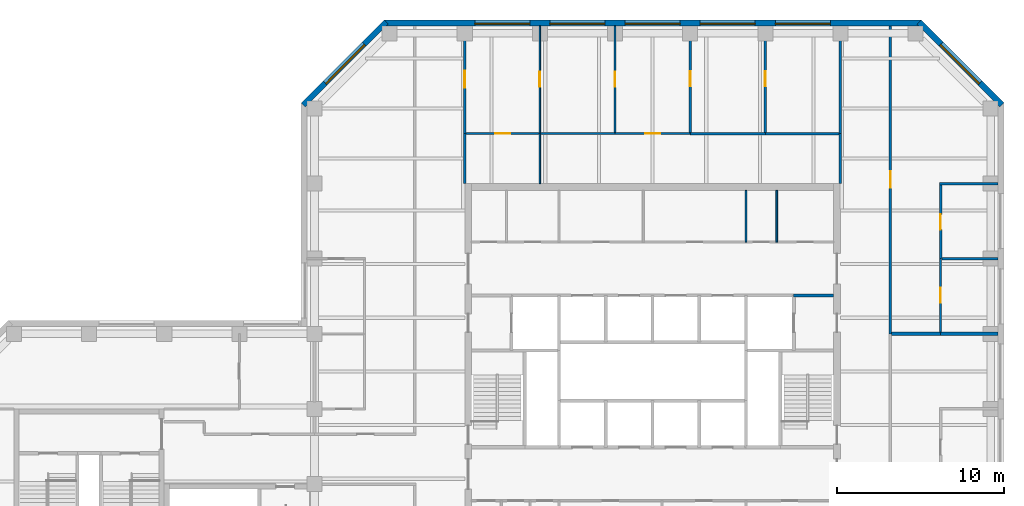
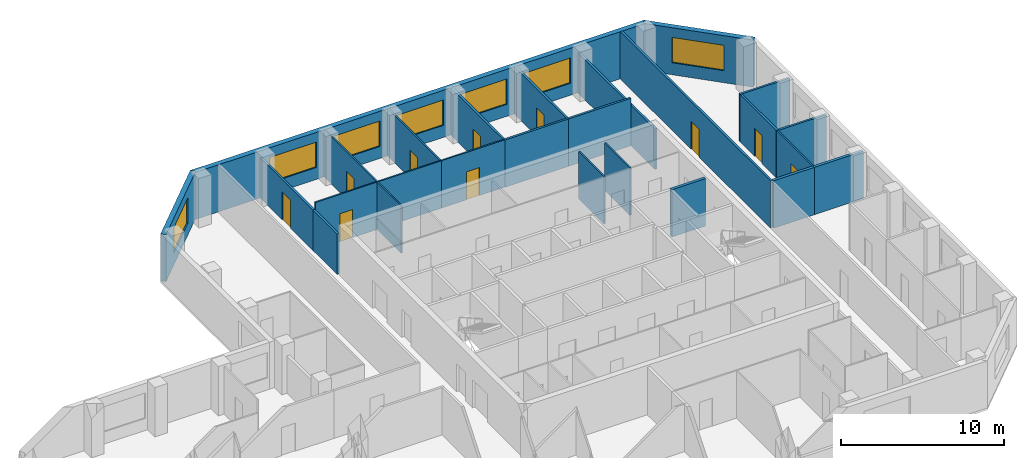
# One storey, part 7 of 9: 27 walls, 10 doors, 7 windows, 17 openings.
"""IFC4 building model written with IfcOpenShell, lengths in metres."""

from ifc_helpers import new_model, si_unit, direction, frame, frame_2d, origin, place, context, subcontext, project, spatial, rectangle, extrude, material, layer, layer_set, constituent, constituent_set, type_object, element, fill, save


model = new_model("IFC4")

# Units and contexts
model_context = context("Model", 3, precision=1e-05, world=origin(), true_north=direction((0.0, 1.0)))
body_context = subcontext(model_context, "Body", "Model", "MODEL_VIEW")
ifc_project = project(units=[si_unit("LENGTHUNIT", "METRE"), si_unit("AREAUNIT", "SQUARE_METRE"), si_unit("VOLUMEUNIT", "CUBIC_METRE"), si_unit("PLANEANGLEUNIT", "RADIAN"), si_unit("MASSUNIT", "GRAM", prefix="KILO")], contexts=[model_context])

# Site, building, storey
site_placement = place(None, origin())
site = spatial("IfcSite", under=ifc_project, at=site_placement, CompositionType="ELEMENT")
building_placement = place(site_placement, origin())
building = spatial("IfcBuilding", under=site, at=building_placement, Name="Quoin Convention Tower", CompositionType="ELEMENT")
storey_placement = place(building_placement, frame((0.0, 0.0, 237.800048828125)))
storey = spatial("IfcBuildingStorey", under=building, at=storey_placement, Name="L62", CompositionType="ELEMENT", Elevation=237.800048828125)

# Walls
ifc_material_1 = material(Name="Plasterboard")
ifc_layer_1 = layer(ifc_material_1, 0.012451171875, Name="Finish")
ifc_material_2 = material(Name="Steel stud framing", Category="steel")
ifc_layer_2 = layer(ifc_material_2, 0.125, Name="Structure")
ifc_layer_3 = layer(ifc_material_1, 0.012451171875, Name="Finish")
ifc_layer_set_1 = layer_set([ifc_layer_1, ifc_layer_2, ifc_layer_3], Name="Steel stud framing")
wall_type_1 = type_object("IfcWallType", Name="Acoustic partition 150", PredefinedType="PARTITIONING", material=ifc_layer_set_1)
wall_1_placement = place(storey_placement, frame((73.574951171875, 67.5, 0.0), z_axis=(0.0, 0.0, 1.0), x_axis=(1.0, 0.0, 0.0)))
element("IfcWall", 1, at=wall_1_placement, inside=storey, type_object=wall_type_1, Name="pw-L62-027", PredefinedType="PARTITIONING", context=body_context, shape_type="SweptSolid", body=[
    extrude(rectangle(XDim=3.375, YDim=0.14990234375, at=frame_2d((1.6875, 0.0))), origin(), (0.0, 0.0, 1.0), 3.550048828125),
])
wall_2_placement = place(storey_placement, frame((73.425048828125, 72.0, 0.0), z_axis=(0.0, 0.0, 1.0), x_axis=(1.0, 0.0, 0.0)))
element("IfcWall", 2, at=wall_2_placement, inside=storey, type_object=wall_type_1, Name="pw-L62-028", PredefinedType="PARTITIONING", context=body_context, shape_type="SweptSolid", body=[
    extrude(rectangle(XDim=3.52490234375, YDim=0.14990234375, at=frame_2d((1.762451171875, 0.0))), origin(), (0.0, 0.0, 1.0), 3.550048828125),
])
wall_3_placement = place(storey_placement, frame((58.5, 75.0, 0.0), z_axis=(0.0, 0.0, 1.0), x_axis=(1.0, 0.0, 0.0)))
element("IfcWall", 3, at=wall_3_placement, inside=storey, type_object=wall_type_1, Name="pw-L62-032", PredefinedType="PARTITIONING", context=body_context, shape_type="SweptSolid", body=[
    extrude(rectangle(XDim=4.5, YDim=0.14990234375, at=frame_2d((2.25, 0.0))), origin(), (0.0, 0.0, 1.0), 3.550048828125),
])
wall_4_placement = place(storey_placement, frame((63.0, 75.0, 0.0), z_axis=(0.0, 0.0, 1.0), x_axis=(1.0, 0.0, 0.0)))
element("IfcWall", 4, at=wall_4_placement, inside=storey, type_object=wall_type_1, Name="pw-L62-033", PredefinedType="PARTITIONING", context=body_context, shape_type="SweptSolid", body=[
    extrude(rectangle(XDim=4.425048828125, YDim=0.14990234375, at=frame_2d((2.21240234375, 0.0))), origin(), (0.0, 0.0, 1.0), 3.550048828125),
])

# Wall, opening, door
wall_5_placement = place(storey_placement, frame((73.5, 67.5, 0.0), z_axis=(0.0, 0.0, 1.0), x_axis=(0.0, 1.0, 0.0)))
wall_5 = element("IfcWall", 5, at=wall_5_placement, inside=storey, type_object=wall_type_1, Name="pw-L62-070", PredefinedType="PARTITIONING", context=body_context, shape_type="SweptSolid", body=[
    extrude(rectangle(XDim=4.425048828125, YDim=0.14990234375, at=frame_2d((2.21240234375, 0.0))), origin(), (0.0, 0.0, 1.0), 3.550048828125),
])
opening_1_placement = place(wall_5_placement, frame((1.75, 0.0, 0.0)))
opening_1 = element("IfcOpeningElement", 6, at=opening_1_placement, cuts=wall_5, Name="Opening DOH11-22", PredefinedType="OPENING", context=body_context, shape_type="SweptSolid", body=[
    extrude(rectangle(XDim=0.89990234375, YDim=2.10009765625, at=frame_2d((0.449951171875, 1.050048828125))), frame((0.0, 0.0849609375, 0.0), z_axis=(0.0, -1.0, 0.0), x_axis=(1.0, 0.0, 0.0)), (0.0, 0.0, 1.0), 0.169921875),
])
ifc_material_3 = material(Name="Steel door leaf", Category="steel")
door_type_1 = type_object("IfcDoorType", Name="Office door 900 x 2100", OperationType="SINGLE_SWING_RIGHT", PredefinedType="DOOR", material=ifc_material_3)
door_1_placement = place(opening_1_placement, origin())
door_1 = element("IfcDoor", 7, at=door_1_placement, inside=storey, type_object=door_type_1, Name="dr-L62-31", OperationType="SINGLE_SWING_RIGHT", OverallHeight=2.10009765625, OverallWidth=0.89990234375, PredefinedType="DOOR", context=body_context, shape_type="SweptSolid", body=[
    extrude(rectangle(XDim=0.89990234375, YDim=2.10009765625, at=frame_2d((0.449951171875, 1.050048828125))), frame((0.0, 0.02490234375, 0.0), z_axis=(0.0, -1.0, 0.0), x_axis=(1.0, 0.0, 0.0)), (0.0, 0.0, 1.0), 0.050048828125),
])
fill(opening_1, door_1)

wall_6_placement = place(storey_placement, frame((58.5, 75.074951171875, 0.0), z_axis=(0.0, 0.0, 1.0), x_axis=(0.0, 1.0, 0.0)))
wall_6 = element("IfcWall", 8, at=wall_6_placement, inside=storey, type_object=wall_type_1, Name="pw-L62-078", PredefinedType="PARTITIONING", context=body_context, shape_type="SweptSolid", body=[
    extrude(rectangle(XDim=6.375, YDim=0.14990234375, at=frame_2d((3.1875, 0.0))), origin(), (0.0, 0.0, 1.0), 3.550048828125),
])
opening_2_placement = place(wall_6_placement, frame((2.75, 0.0, 0.0)))
opening_2 = element("IfcOpeningElement", 9, at=opening_2_placement, cuts=wall_6, Name="Opening DOH11-26", PredefinedType="OPENING", context=body_context, shape_type="SweptSolid", body=[
    extrude(rectangle(XDim=0.89990234375, YDim=2.10009765625, at=frame_2d((0.449951171875, 1.050048828125))), frame((0.0, 0.0849609375, 0.0), z_axis=(0.0, -1.0, 0.0), x_axis=(1.0, 0.0, 0.0)), (0.0, 0.0, 1.0), 0.169921875),
])
door_2_placement = place(opening_2_placement, origin())
door_2 = element("IfcDoor", 10, at=door_2_placement, inside=storey, type_object=door_type_1, Name="dr-L62-20", OperationType="SINGLE_SWING_RIGHT", OverallHeight=2.10009765625, OverallWidth=0.89990234375, PredefinedType="DOOR", context=body_context, shape_type="SweptSolid", body=[
    extrude(rectangle(XDim=0.89990234375, YDim=2.10009765625, at=frame_2d((0.449951171875, 1.050048828125))), frame((0.0, 0.02490234375, 0.0), z_axis=(0.0, -1.0, 0.0), x_axis=(1.0, 0.0, 0.0)), (0.0, 0.0, 1.0), 0.050048828125),
])
fill(opening_2, door_2)

wall_7_placement = place(storey_placement, frame((63.0, 75.074951171875, 0.0), z_axis=(0.0, 0.0, 1.0), x_axis=(0.0, 1.0, 0.0)))
wall_7 = element("IfcWall", 11, at=wall_7_placement, inside=storey, type_object=wall_type_1, Name="pw-L62-079", PredefinedType="PARTITIONING", context=body_context, shape_type="SweptSolid", body=[
    extrude(rectangle(XDim=6.375, YDim=0.14990234375, at=frame_2d((3.1875, 0.0))), origin(), (0.0, 0.0, 1.0), 3.550048828125),
])
opening_3_placement = place(wall_7_placement, frame((2.75, 0.0, 0.0)))
opening_3 = element("IfcOpeningElement", 12, at=opening_3_placement, cuts=wall_7, Name="Opening DOH11-27", PredefinedType="OPENING", context=body_context, shape_type="SweptSolid", body=[
    extrude(rectangle(XDim=0.89990234375, YDim=2.10009765625, at=frame_2d((0.449951171875, 1.050048828125))), frame((0.0, 0.0849609375, 0.0), z_axis=(0.0, -1.0, 0.0), x_axis=(1.0, 0.0, 0.0)), (0.0, 0.0, 1.0), 0.169921875),
])
door_3_placement = place(opening_3_placement, origin())
door_3 = element("IfcDoor", 13, at=door_3_placement, inside=storey, type_object=door_type_1, Name="dr-L62-21", OperationType="SINGLE_SWING_RIGHT", OverallHeight=2.10009765625, OverallWidth=0.89990234375, PredefinedType="DOOR", context=body_context, shape_type="SweptSolid", body=[
    extrude(rectangle(XDim=0.89990234375, YDim=2.10009765625, at=frame_2d((0.449951171875, 1.050048828125))), frame((0.0, 0.02490234375, 0.0), z_axis=(0.0, -1.0, 0.0), x_axis=(1.0, 0.0, 0.0)), (0.0, 0.0, 1.0), 0.050048828125),
])
fill(opening_3, door_3)

# Wall, opening, window
ifc_material_4 = material(Name="Brick masonry", Category="masonry")
ifc_layer_4 = layer(ifc_material_4, 0.35009765625)
ifc_layer_set_2 = layer_set([ifc_layer_4], Name="Brick masonry")
wall_type_2 = type_object("IfcWallType", Name="Brick facade wall", PredefinedType="STANDARD", material=ifc_layer_set_2)
wall_8_placement = place(storey_placement, frame((77.17626953125, 76.70751953125, 0.0), z_axis=(0.0, 0.0, 1.0), x_axis=(-0.707106781187, 0.707106781187, 0.0)))
wall_8 = element("IfcWall", 14, at=wall_8_placement, inside=storey, type_object=wall_type_2, Name="fw-L62-76500_76500", PredefinedType="STANDARD", context=body_context, shape_type="SweptSolid", body=[
    extrude(rectangle(XDim=7.02685546875, YDim=0.35009765625, at=frame_2d((3.513427734375, 0.0))), origin(), (0.0, 0.0, 1.0), 3.52490234375),
])
opening_4_placement = place(wall_8_placement, frame((1.86328125, 0.0, 0.89990234375)))
opening_4 = element("IfcOpeningElement", 15, at=opening_4_placement, cuts=wall_8, Name="Opening W-02", PredefinedType="OPENING", context=body_context, shape_type="SweptSolid", body=[
    extrude(rectangle(XDim=3.300048828125, YDim=1.89990234375, at=frame_2d((1.64990234375, 0.949951171875))), frame((0.0, 0.18505859375, 0.0), z_axis=(0.0, -1.0, 0.0), x_axis=(1.0, 0.0, 0.0)), (0.0, 0.0, 1.0), 0.3701171875),
])
ifc_material_5 = material(Name="Aluminium", Category="aluminium")
ifc_constituent_1 = constituent(ifc_material_5, Name="Frame")
ifc_material_6 = material(Name="Insulated glass", Category="glass")
ifc_constituent_2 = constituent(ifc_material_6, Name="Glazing")
ifc_constituent_set = constituent_set(constituents=[ifc_constituent_1, ifc_constituent_2], Name="Aluminium")
window_type = type_object("IfcWindowType", Name="Office window", PartitioningType="DOUBLE_PANEL_VERTICAL", PredefinedType="WINDOW", material=ifc_constituent_set)
window_1_placement = place(opening_4_placement, origin())
window_1 = element("IfcWindow", 16, at=window_1_placement, inside=storey, type_object=window_type, Name="win-L62-74692_79192", OverallHeight=1.89990234375, OverallWidth=3.300048828125, PartitioningType="SINGLE_PANEL", PredefinedType="WINDOW", context=body_context, shape_type="SweptSolid", body=[
    extrude(rectangle(XDim=3.300048828125, YDim=1.89990234375, at=frame_2d((1.64990234375, 0.949951171875))), frame((0.0, 0.0849609375, 0.0), z_axis=(0.0, -1.0, 0.0), x_axis=(1.0, 0.0, 0.0)), (0.0, 0.0, 1.0), 0.06005859375),
])
fill(opening_4, window_1)

# Wall, openings, windows
wall_9_placement = place(storey_placement, frame((72.331298828125, 81.625, 0.0), z_axis=(0.0, 0.0, 1.0), x_axis=(-1.0, 0.0, 0.0)))
wall_9 = element("IfcWall", 17, at=wall_9_placement, inside=storey, type_object=wall_type_2, Name="fw-L62-72000_81000", PredefinedType="STANDARD", context=body_context, shape_type="SweptSolid", body=[
    extrude(rectangle(XDim=32.16259765625, YDim=0.35009765625, at=frame_2d((16.081298828125, 0.0))), origin(), (0.0, 0.0, 1.0), 3.52490234375),
])
opening_5_placement = place(wall_9_placement, frame((5.431396484375, 0.0, 0.89990234375)))
opening_5 = element("IfcOpeningElement", 18, at=opening_5_placement, cuts=wall_9, Name="Opening W-02", PredefinedType="OPENING", context=body_context, shape_type="SweptSolid", body=[
    extrude(rectangle(XDim=3.300048828125, YDim=1.89990234375, at=frame_2d((1.64990234375, 0.949951171875))), frame((0.0, 0.18505859375, 0.0), z_axis=(0.0, -1.0, 0.0), x_axis=(1.0, 0.0, 0.0)), (0.0, 0.0, 1.0), 0.3701171875),
])
opening_6_placement = place(wall_9_placement, frame((9.931396484375, 0.0, 0.89990234375)))
opening_6 = element("IfcOpeningElement", 19, at=opening_6_placement, cuts=wall_9, Name="Opening W-02", PredefinedType="OPENING", context=body_context, shape_type="SweptSolid", body=[
    extrude(rectangle(XDim=3.300048828125, YDim=1.89990234375, at=frame_2d((1.64990234375, 0.949951171875))), frame((0.0, 0.18505859375, 0.0), z_axis=(0.0, -1.0, 0.0), x_axis=(1.0, 0.0, 0.0)), (0.0, 0.0, 1.0), 0.3701171875),
])
opening_7_placement = place(wall_9_placement, frame((14.431396484375, 0.0, 0.89990234375)))
opening_7 = element("IfcOpeningElement", 20, at=opening_7_placement, cuts=wall_9, Name="Opening W-02", PredefinedType="OPENING", context=body_context, shape_type="SweptSolid", body=[
    extrude(rectangle(XDim=3.300048828125, YDim=1.89990234375, at=frame_2d((1.64990234375, 0.949951171875))), frame((0.0, 0.18505859375, 0.0), z_axis=(0.0, -1.0, 0.0), x_axis=(1.0, 0.0, 0.0)), (0.0, 0.0, 1.0), 0.3701171875),
])
opening_8_placement = place(wall_9_placement, frame((18.931396484375, 0.0, 0.89990234375)))
opening_8 = element("IfcOpeningElement", 21, at=opening_8_placement, cuts=wall_9, Name="Opening W-02", PredefinedType="OPENING", context=body_context, shape_type="SweptSolid", body=[
    extrude(rectangle(XDim=3.300048828125, YDim=1.89990234375, at=frame_2d((1.64990234375, 0.949951171875))), frame((0.0, 0.18505859375, 0.0), z_axis=(0.0, -1.0, 0.0), x_axis=(1.0, 0.0, 0.0)), (0.0, 0.0, 1.0), 0.3701171875),
])
opening_9_placement = place(wall_9_placement, frame((23.431396484375, 0.0, 0.89990234375)))
opening_9 = element("IfcOpeningElement", 22, at=opening_9_placement, cuts=wall_9, Name="Opening W-02", PredefinedType="OPENING", context=body_context, shape_type="SweptSolid", body=[
    extrude(rectangle(XDim=3.300048828125, YDim=1.89990234375, at=frame_2d((1.64990234375, 0.949951171875))), frame((0.0, 0.18505859375, 0.0), z_axis=(0.0, -1.0, 0.0), x_axis=(1.0, 0.0, 0.0)), (0.0, 0.0, 1.0), 0.3701171875),
])
window_2_placement = place(opening_5_placement, origin())
window_2 = element("IfcWindow", 23, at=window_2_placement, inside=storey, type_object=window_type, Name="win-L62-65250_81625", OverallHeight=1.89990234375, OverallWidth=3.300048828125, PartitioningType="SINGLE_PANEL", PredefinedType="WINDOW", context=body_context, shape_type="SweptSolid", body=[
    extrude(rectangle(XDim=3.300048828125, YDim=1.89990234375, at=frame_2d((1.64990234375, 0.949951171875))), frame((0.0, 0.0849609375, 0.0), z_axis=(0.0, -1.0, 0.0), x_axis=(1.0, 0.0, 0.0)), (0.0, 0.0, 1.0), 0.06005859375),
])
fill(opening_5, window_2)
window_3_placement = place(opening_6_placement, origin())
window_3 = element("IfcWindow", 24, at=window_3_placement, inside=storey, type_object=window_type, Name="win-L62-60750_81625", OverallHeight=1.89990234375, OverallWidth=3.300048828125, PartitioningType="SINGLE_PANEL", PredefinedType="WINDOW", context=body_context, shape_type="SweptSolid", body=[
    extrude(rectangle(XDim=3.300048828125, YDim=1.89990234375, at=frame_2d((1.64990234375, 0.949951171875))), frame((0.0, 0.0849609375, 0.0), z_axis=(0.0, -1.0, 0.0), x_axis=(1.0, 0.0, 0.0)), (0.0, 0.0, 1.0), 0.06005859375),
])
fill(opening_6, window_3)
window_4_placement = place(opening_7_placement, origin())
window_4 = element("IfcWindow", 25, at=window_4_placement, inside=storey, type_object=window_type, Name="win-L62-56250_81625", OverallHeight=1.89990234375, OverallWidth=3.300048828125, PartitioningType="SINGLE_PANEL", PredefinedType="WINDOW", context=body_context, shape_type="SweptSolid", body=[
    extrude(rectangle(XDim=3.300048828125, YDim=1.89990234375, at=frame_2d((1.64990234375, 0.949951171875))), frame((0.0, 0.0849609375, 0.0), z_axis=(0.0, -1.0, 0.0), x_axis=(1.0, 0.0, 0.0)), (0.0, 0.0, 1.0), 0.06005859375),
])
fill(opening_7, window_4)
window_5_placement = place(opening_8_placement, origin())
window_5 = element("IfcWindow", 26, at=window_5_placement, inside=storey, type_object=window_type, Name="win-L62-51750_81625", OverallHeight=1.89990234375, OverallWidth=3.300048828125, PartitioningType="SINGLE_PANEL", PredefinedType="WINDOW", context=body_context, shape_type="SweptSolid", body=[
    extrude(rectangle(XDim=3.300048828125, YDim=1.89990234375, at=frame_2d((1.64990234375, 0.949951171875))), frame((0.0, 0.0849609375, 0.0), z_axis=(0.0, -1.0, 0.0), x_axis=(1.0, 0.0, 0.0)), (0.0, 0.0, 1.0), 0.06005859375),
])
fill(opening_8, window_5)
window_6_placement = place(opening_9_placement, origin())
window_6 = element("IfcWindow", 27, at=window_6_placement, inside=storey, type_object=window_type, Name="win-L62-47250_81625", OverallHeight=1.89990234375, OverallWidth=3.300048828125, PartitioningType="SINGLE_PANEL", PredefinedType="WINDOW", context=body_context, shape_type="SweptSolid", body=[
    extrude(rectangle(XDim=3.300048828125, YDim=1.89990234375, at=frame_2d((1.64990234375, 0.949951171875))), frame((0.0, 0.0849609375, 0.0), z_axis=(0.0, -1.0, 0.0), x_axis=(1.0, 0.0, 0.0)), (0.0, 0.0, 1.0), 0.06005859375),
])
fill(opening_9, window_6)

# Wall, opening, window
wall_10_placement = place(storey_placement, frame((40.29248046875, 81.67626953125, 0.0), z_axis=(0.0, 0.0, 1.0), x_axis=(-0.707106781187, -0.707106781187, 0.0)))
wall_10 = element("IfcWall", 28, at=wall_10_placement, inside=storey, type_object=wall_type_2, Name="fw-L62-40500_81000", PredefinedType="STANDARD", context=body_context, shape_type="SweptSolid", body=[
    extrude(rectangle(XDim=7.02685546875, YDim=0.35009765625, at=frame_2d((3.513427734375, 0.0))), origin(), (0.0, 0.0, 1.0), 3.52490234375),
])
opening_10_placement = place(wall_10_placement, frame((1.86328125, 0.0, 0.89990234375)))
opening_10 = element("IfcOpeningElement", 29, at=opening_10_placement, cuts=wall_10, Name="Opening W-02", PredefinedType="OPENING", context=body_context, shape_type="SweptSolid", body=[
    extrude(rectangle(XDim=3.300048828125, YDim=1.89990234375, at=frame_2d((1.64990234375, 0.949951171875))), frame((0.0, 0.18505859375, 0.0), z_axis=(0.0, -1.0, 0.0), x_axis=(1.0, 0.0, 0.0)), (0.0, 0.0, 1.0), 0.3701171875),
])
window_7_placement = place(opening_10_placement, origin())
window_7 = element("IfcWindow", 30, at=window_7_placement, inside=storey, type_object=window_type, Name="win-L62-37808_79192", OverallHeight=1.89990234375, OverallWidth=3.300048828125, PartitioningType="SINGLE_PANEL", PredefinedType="WINDOW", context=body_context, shape_type="SweptSolid", body=[
    extrude(rectangle(XDim=3.300048828125, YDim=1.89990234375, at=frame_2d((1.64990234375, 0.949951171875))), frame((0.0, 0.0849609375, 0.0), z_axis=(0.0, -1.0, 0.0), x_axis=(1.0, 0.0, 0.0)), (0.0, 0.0, 1.0), 0.06005859375),
])
fill(opening_10, window_7)

# Walls
ifc_layer_5 = layer(ifc_material_1, 0.012451171875, Name="Finish")
ifc_layer_6 = layer(ifc_material_2, 0.074951171875, Name="Structure")
ifc_layer_7 = layer(ifc_material_1, 0.012451171875, Name="Finish")
ifc_layer_set_3 = layer_set([ifc_layer_5, ifc_layer_6, ifc_layer_7], Name="Steel stud framing")
wall_type_3 = type_object("IfcWallType", Name="Core partition wall", PredefinedType="PARTITIONING", material=ifc_layer_set_3)
for number, where, z_axis, x_axis, name in (
    (31, (61.85009765625, 68.5, 0.0), (0.0, 0.0, 1.0), (0.0, 1.0, 0.0), "cr-C1-L62-v16850_19000"),
    (32, (63.6875, 68.5, 0.0), (0.0, 0.0, 1.0), (0.0, 1.0, 0.0), "cr-C1-L62-v18688_19000"),
):
    element("IfcWall", number, at=place(storey_placement, frame(where, z_axis=z_axis, x_axis=x_axis)), inside=storey, type_object=wall_type_3, Name=name, PredefinedType="PARTITIONING", context=body_context, shape_type="SweptSolid", body=[
        extrude(rectangle(XDim=3.10009765625, YDim=0.10009765625, at=frame_2d((1.550048828125, 0.0))), origin(), (0.0, 0.0, 1.0), 3.550048828125),
    ])
ifc_material_7 = material(Name="Concrete C50", Category="concrete")
ifc_layer_8 = layer(ifc_material_7, 0.199951171875)
ifc_layer_set_4 = layer_set([ifc_layer_8], Name="Concrete C50")
wall_type_4 = type_object("IfcWallType", Name="Core shaft wall", PredefinedType="SOLIDWALL", material=ifc_layer_set_4)
wall_11_placement = place(storey_placement, frame((64.699951171875, 65.300048828125, 0.0), z_axis=(0.0, 0.0, 1.0), x_axis=(1.0, 0.0, 0.0)))
element("IfcWall", 33, at=wall_11_placement, inside=storey, type_object=wall_type_4, Name="cr-C1-L62-h15800_19700", PredefinedType="SOLIDWALL", context=body_context, shape_type="SweptSolid", body=[
    extrude(rectangle(XDim=2.400146484375, YDim=0.199951171875, at=frame_2d((1.2001953125, 0.0))), origin(), (0.0, 0.0, 1.0), 3.550048828125),
])

# Wall, opening, door
ifc_layer_9 = layer(ifc_material_1, 0.012451171875, Name="Finish")
ifc_layer_10 = layer(ifc_material_2, 0.125, Name="Structure")
ifc_layer_11 = layer(ifc_material_1, 0.012451171875, Name="Finish")
ifc_layer_set_5 = layer_set([ifc_layer_9, ifc_layer_10, ifc_layer_11], Name="Steel stud framing")
wall_type_5 = type_object("IfcWallType", Name="Corridor wall 150", PredefinedType="PARTITIONING", material=ifc_layer_set_5)
wall_12_placement = place(storey_placement, frame((70.5, 63.0, 0.0), z_axis=(0.0, 0.0, 1.0), x_axis=(0.0, 1.0, 0.0)))
wall_12 = element("IfcWall", 34, at=wall_12_placement, inside=storey, type_object=wall_type_5, Name="pw-L62-068", PredefinedType="PARTITIONING", context=body_context, shape_type="SweptSolid", body=[
    extrude(rectangle(XDim=18.449951171875, YDim=0.14990234375, at=frame_2d((9.22509765625, 0.0))), origin(), (0.0, 0.0, 1.0), 3.550048828125),
])
opening_11_placement = place(wall_12_placement, frame((8.75, 0.0, 0.0)))
opening_11 = element("IfcOpeningElement", 35, at=opening_11_placement, cuts=wall_12, Name="Opening DOH11-20", PredefinedType="OPENING", context=body_context, shape_type="SweptSolid", body=[
    extrude(rectangle(XDim=1.0, YDim=2.10009765625, at=frame_2d((0.5, 1.050048828125))), frame((0.0, 0.0849609375, 0.0), z_axis=(0.0, -1.0, 0.0), x_axis=(1.0, 0.0, 0.0)), (0.0, 0.0, 1.0), 0.169921875),
])
door_type_2 = type_object("IfcDoorType", Name="Tenancy entrance door 1000 x 2100", OperationType="DOUBLE_DOOR_SINGLE_SWING", PredefinedType="DOOR", material=ifc_material_3)
door_4_placement = place(opening_11_placement, frame((1.0, 0.0, 0.0), z_axis=(0.0, 0.0, 1.0), x_axis=(-1.0, 0.0, 0.0)))
door_4 = element("IfcDoor", 36, at=door_4_placement, inside=storey, type_object=door_type_2, Name="dr-L62-29", OperationType="DOUBLE_DOOR_SINGLE_SWING", OverallHeight=2.10009765625, OverallWidth=1.0, PredefinedType="DOOR", context=body_context, shape_type="SweptSolid", body=[
    extrude(rectangle(XDim=1.0, YDim=2.10009765625, at=frame_2d((0.5, 1.050048828125))), frame((0.0, 0.02490234375, 0.0), z_axis=(0.0, -1.0, 0.0), x_axis=(1.0, 0.0, 0.0)), (0.0, 0.0, 1.0), 0.050048828125),
])
fill(opening_11, door_4)

# Walls
ifc_layer_12 = layer(ifc_material_1, 0.012451171875, Name="Finish")
ifc_layer_13 = layer(ifc_material_2, 0.125, Name="Structure")
ifc_layer_14 = layer(ifc_material_1, 0.012451171875, Name="Finish")
ifc_layer_set_6 = layer_set([ifc_layer_12, ifc_layer_13, ifc_layer_14], Name="Steel stud framing")
wall_type_6 = type_object("IfcWallType", Name="Corridor wall 150 under beam 528", PredefinedType="PARTITIONING", material=ifc_layer_set_6)
for number, where, z_axis, x_axis, name in (
    (37, (45.0, 72.0, 0.0), (0.0, 0.0, 1.0), (0.0, 1.0, 0.0), "pw-L62-071"),
    (38, (67.5, 72.0, 0.0), (0.0, 0.0, 1.0), (0.0, 1.0, 0.0), "pw-L62-073"),
):
    element("IfcWall", number, at=place(storey_placement, frame(where, z_axis=z_axis, x_axis=x_axis)), inside=storey, type_object=wall_type_6, Name=name, PredefinedType="PARTITIONING", context=body_context, shape_type="SweptSolid", body=[
        extrude(rectangle(XDim=3.0, YDim=0.14990234375, at=frame_2d((1.5, 0.0))), origin(), (0.0, 0.0, 1.0), 3.02197265625),
    ])

# Wall, opening, door
wall_13_placement = place(storey_placement, frame((45.0, 75.0, 0.0), z_axis=(0.0, 0.0, 1.0), x_axis=(0.0, 1.0, 0.0)))
wall_13 = element("IfcWall", 39, at=wall_13_placement, inside=storey, type_object=wall_type_6, Name="pw-L62-074", PredefinedType="PARTITIONING", context=body_context, shape_type="SweptSolid", body=[
    extrude(rectangle(XDim=6.449951171875, YDim=0.14990234375, at=frame_2d((3.22509765625, 0.0))), origin(), (0.0, 0.0, 1.0), 3.02197265625),
])
opening_12_placement = place(wall_13_placement, frame((2.75, 0.0, 0.0)))
opening_12 = element("IfcOpeningElement", 40, at=opening_12_placement, cuts=wall_13, Name="Opening DOH11-23", PredefinedType="OPENING", context=body_context, shape_type="SweptSolid", body=[
    extrude(rectangle(XDim=1.0, YDim=2.10009765625, at=frame_2d((0.5, 1.050048828125))), frame((0.0, 0.0849609375, 0.0), z_axis=(0.0, -1.0, 0.0), x_axis=(1.0, 0.0, 0.0)), (0.0, 0.0, 1.0), 0.169921875),
])
door_5_placement = place(opening_12_placement, frame((1.0, 0.0, 0.0), z_axis=(0.0, 0.0, 1.0), x_axis=(-1.0, 0.0, 0.0)))
door_5 = element("IfcDoor", 41, at=door_5_placement, inside=storey, type_object=door_type_2, Name="dr-L62-17", OperationType="DOUBLE_DOOR_SINGLE_SWING", OverallHeight=2.10009765625, OverallWidth=1.0, PredefinedType="DOOR", context=body_context, shape_type="SweptSolid", body=[
    extrude(rectangle(XDim=1.0, YDim=2.10009765625, at=frame_2d((0.5, 1.050048828125))), frame((0.0, 0.02490234375, 0.0), z_axis=(0.0, -1.0, 0.0), x_axis=(1.0, 0.0, 0.0)), (0.0, 0.0, 1.0), 0.050048828125),
])
fill(opening_12, door_5)

# Wall
wall_14_placement = place(storey_placement, frame((67.5, 75.0, 0.0), z_axis=(0.0, 0.0, 1.0), x_axis=(0.0, 1.0, 0.0)))
element("IfcWall", 42, at=wall_14_placement, inside=storey, type_object=wall_type_6, Name="pw-L62-076", PredefinedType="PARTITIONING", context=body_context, shape_type="SweptSolid", body=[
    extrude(rectangle(XDim=6.449951171875, YDim=0.14990234375, at=frame_2d((3.22509765625, 0.0))), origin(), (0.0, 0.0, 1.0), 3.02197265625),
])

# Wall, opening, door
ifc_layer_15 = layer(ifc_material_1, 0.012451171875, Name="Finish")
ifc_layer_16 = layer(ifc_material_2, 0.074951171875, Name="Structure")
ifc_layer_17 = layer(ifc_material_1, 0.012451171875, Name="Finish")
ifc_layer_set_7 = layer_set([ifc_layer_15, ifc_layer_16, ifc_layer_17], Name="Steel stud framing")
wall_type_7 = type_object("IfcWallType", Name="Stud partition 100", PredefinedType="PARTITIONING", material=ifc_layer_set_7)
wall_15_placement = place(storey_placement, frame((45.074951171875, 75.0, 0.0), z_axis=(0.0, 0.0, 1.0), x_axis=(1.0, 0.0, 0.0)))
wall_15 = element("IfcWall", 43, at=wall_15_placement, inside=storey, type_object=wall_type_7, Name="pw-L62-029", PredefinedType="PARTITIONING", context=body_context, shape_type="SweptSolid", body=[
    extrude(rectangle(XDim=4.375, YDim=0.10009765625, at=frame_2d((2.1875, 0.0))), origin(), (0.0, 0.0, 1.0), 3.550048828125),
])
opening_13_placement = place(wall_15_placement, frame((1.75, 0.0, 0.0)))
opening_13 = element("IfcOpeningElement", 44, at=opening_13_placement, cuts=wall_15, Name="Opening DOH11-07", PredefinedType="OPENING", context=body_context, shape_type="SweptSolid", body=[
    extrude(rectangle(XDim=0.89990234375, YDim=2.10009765625, at=frame_2d((0.449951171875, 1.050048828125))), frame((0.0, 0.06005859375, 0.0), z_axis=(0.0, -1.0, 0.0), x_axis=(1.0, 0.0, 0.0)), (0.0, 0.0, 1.0), 0.1201171875),
])
door_6_placement = place(opening_13_placement, origin())
door_6 = element("IfcDoor", 45, at=door_6_placement, inside=storey, type_object=door_type_1, Name="dr-L62-22", OperationType="SINGLE_SWING_RIGHT", OverallHeight=2.10009765625, OverallWidth=0.89990234375, PredefinedType="DOOR", context=body_context, shape_type="SweptSolid", body=[
    extrude(rectangle(XDim=0.89990234375, YDim=2.10009765625, at=frame_2d((0.449951171875, 1.050048828125))), frame((0.0, 0.02490234375, 0.0), z_axis=(0.0, -1.0, 0.0), x_axis=(1.0, 0.0, 0.0)), (0.0, 0.0, 1.0), 0.050048828125),
])
fill(opening_13, door_6)

# Wall
wall_16_placement = place(storey_placement, frame((49.550048828125, 75.0, 0.0), z_axis=(0.0, 0.0, 1.0), x_axis=(1.0, 0.0, 0.0)))
element("IfcWall", 46, at=wall_16_placement, inside=storey, type_object=wall_type_7, Name="pw-L62-030", PredefinedType="PARTITIONING", context=body_context, shape_type="SweptSolid", body=[
    extrude(rectangle(XDim=4.449951171875, YDim=0.10009765625, at=frame_2d((2.22509765625, 0.0))), origin(), (0.0, 0.0, 1.0), 3.550048828125),
])

# Wall, opening, door
wall_17_placement = place(storey_placement, frame((54.0, 75.0, 0.0), z_axis=(0.0, 0.0, 1.0), x_axis=(1.0, 0.0, 0.0)))
wall_17 = element("IfcWall", 47, at=wall_17_placement, inside=storey, type_object=wall_type_7, Name="pw-L62-031", PredefinedType="PARTITIONING", context=body_context, shape_type="SweptSolid", body=[
    extrude(rectangle(XDim=4.5, YDim=0.10009765625, at=frame_2d((2.25, 0.0))), origin(), (0.0, 0.0, 1.0), 3.550048828125),
])
opening_14_placement = place(wall_17_placement, frame((1.800048828125, 0.0, 0.0)))
opening_14 = element("IfcOpeningElement", 48, at=opening_14_placement, cuts=wall_17, Name="Opening DOH11-08", PredefinedType="OPENING", context=body_context, shape_type="SweptSolid", body=[
    extrude(rectangle(XDim=0.89990234375, YDim=2.10009765625, at=frame_2d((0.449951171875, 1.050048828125))), frame((0.0, 0.06005859375, 0.0), z_axis=(0.0, -1.0, 0.0), x_axis=(1.0, 0.0, 0.0)), (0.0, 0.0, 1.0), 0.1201171875),
])
door_7_placement = place(opening_14_placement, frame((0.89990234375, 0.0, 0.0), z_axis=(0.0, 0.0, 1.0), x_axis=(-1.0, 0.0, 0.0)))
door_7 = element("IfcDoor", 49, at=door_7_placement, inside=storey, type_object=door_type_1, Name="dr-L62-23", OperationType="SINGLE_SWING_LEFT", OverallHeight=2.10009765625, OverallWidth=0.89990234375, PredefinedType="DOOR", context=body_context, shape_type="SweptSolid", body=[
    extrude(rectangle(XDim=0.89990234375, YDim=2.10009765625, at=frame_2d((0.449951171875, 1.050048828125))), frame((0.0, 0.02490234375, 0.0), z_axis=(0.0, -1.0, 0.0), x_axis=(1.0, 0.0, 0.0)), (0.0, 0.0, 1.0), 0.050048828125),
])
fill(opening_14, door_7)

wall_18_placement = place(storey_placement, frame((73.5, 63.10009765625, 0.0), z_axis=(0.0, 0.0, 1.0), x_axis=(0.0, 1.0, 0.0)))
wall_18 = element("IfcWall", 50, at=wall_18_placement, inside=storey, type_object=wall_type_7, Name="pw-L62-069", PredefinedType="PARTITIONING", context=body_context, shape_type="SweptSolid", body=[
    extrude(rectangle(XDim=4.39990234375, YDim=0.10009765625, at=frame_2d((2.199951171875, 0.0))), origin(), (0.0, 0.0, 1.0), 3.550048828125),
])
opening_15_placement = place(wall_18_placement, frame((1.75, 0.0, 0.0)))
opening_15 = element("IfcOpeningElement", 51, at=opening_15_placement, cuts=wall_18, Name="Opening DOH11-21", PredefinedType="OPENING", context=body_context, shape_type="SweptSolid", body=[
    extrude(rectangle(XDim=0.89990234375, YDim=2.10009765625, at=frame_2d((0.449951171875, 1.050048828125))), frame((0.0, 0.06005859375, 0.0), z_axis=(0.0, -1.0, 0.0), x_axis=(1.0, 0.0, 0.0)), (0.0, 0.0, 1.0), 0.1201171875),
])
door_8_placement = place(opening_15_placement, origin())
door_8 = element("IfcDoor", 52, at=door_8_placement, inside=storey, type_object=door_type_1, Name="dr-L62-30", OperationType="SINGLE_SWING_RIGHT", OverallHeight=2.10009765625, OverallWidth=0.89990234375, PredefinedType="DOOR", context=body_context, shape_type="SweptSolid", body=[
    extrude(rectangle(XDim=0.89990234375, YDim=2.10009765625, at=frame_2d((0.449951171875, 1.050048828125))), frame((0.0, 0.02490234375, 0.0), z_axis=(0.0, -1.0, 0.0), x_axis=(1.0, 0.0, 0.0)), (0.0, 0.0, 1.0), 0.050048828125),
])
fill(opening_15, door_8)

# Wall
wall_19_placement = place(storey_placement, frame((49.5, 72.0, 0.0), z_axis=(0.0, 0.0, 1.0), x_axis=(0.0, 1.0, 0.0)))
element("IfcWall", 53, at=wall_19_placement, inside=storey, type_object=wall_type_7, Name="pw-L62-072", PredefinedType="PARTITIONING", context=body_context, shape_type="SweptSolid", body=[
    extrude(rectangle(XDim=3.0, YDim=0.10009765625, at=frame_2d((1.5, 0.0))), origin(), (0.0, 0.0, 1.0), 3.550048828125),
])

# Wall, opening, door
wall_20_placement = place(storey_placement, frame((49.5, 75.0, 0.0), z_axis=(0.0, 0.0, 1.0), x_axis=(0.0, 1.0, 0.0)))
wall_20 = element("IfcWall", 54, at=wall_20_placement, inside=storey, type_object=wall_type_7, Name="pw-L62-075", PredefinedType="PARTITIONING", context=body_context, shape_type="SweptSolid", body=[
    extrude(rectangle(XDim=6.449951171875, YDim=0.10009765625, at=frame_2d((3.22509765625, 0.0))), origin(), (0.0, 0.0, 1.0), 3.550048828125),
])
opening_16_placement = place(wall_20_placement, frame((2.800048828125, 0.0, 0.0)))
opening_16 = element("IfcOpeningElement", 55, at=opening_16_placement, cuts=wall_20, Name="Opening DOH11-24", PredefinedType="OPENING", context=body_context, shape_type="SweptSolid", body=[
    extrude(rectangle(XDim=0.89990234375, YDim=2.10009765625, at=frame_2d((0.449951171875, 1.050048828125))), frame((0.0, 0.06005859375, 0.0), z_axis=(0.0, -1.0, 0.0), x_axis=(1.0, 0.0, 0.0)), (0.0, 0.0, 1.0), 0.1201171875),
])
door_9_placement = place(opening_16_placement, frame((0.89990234375, 0.0, 0.0), z_axis=(0.0, 0.0, 1.0), x_axis=(-1.0, 0.0, 0.0)))
door_9 = element("IfcDoor", 56, at=door_9_placement, inside=storey, type_object=door_type_1, Name="dr-L62-18", OperationType="SINGLE_SWING_LEFT", OverallHeight=2.10009765625, OverallWidth=0.89990234375, PredefinedType="DOOR", context=body_context, shape_type="SweptSolid", body=[
    extrude(rectangle(XDim=0.89990234375, YDim=2.10009765625, at=frame_2d((0.449951171875, 1.050048828125))), frame((0.0, 0.02490234375, 0.0), z_axis=(0.0, -1.0, 0.0), x_axis=(1.0, 0.0, 0.0)), (0.0, 0.0, 1.0), 0.050048828125),
])
fill(opening_16, door_9)

wall_21_placement = place(storey_placement, frame((54.0, 75.050048828125, 0.0), z_axis=(0.0, 0.0, 1.0), x_axis=(0.0, 1.0, 0.0)))
wall_21 = element("IfcWall", 57, at=wall_21_placement, inside=storey, type_object=wall_type_7, Name="pw-L62-077", PredefinedType="PARTITIONING", context=body_context, shape_type="SweptSolid", body=[
    extrude(rectangle(XDim=6.39990234375, YDim=0.10009765625, at=frame_2d((3.199951171875, 0.0))), origin(), (0.0, 0.0, 1.0), 3.550048828125),
])
opening_17_placement = place(wall_21_placement, frame((2.75, 0.0, 0.0)))
opening_17 = element("IfcOpeningElement", 58, at=opening_17_placement, cuts=wall_21, Name="Opening DOH11-25", PredefinedType="OPENING", context=body_context, shape_type="SweptSolid", body=[
    extrude(rectangle(XDim=0.89990234375, YDim=2.10009765625, at=frame_2d((0.449951171875, 1.050048828125))), frame((0.0, 0.06005859375, 0.0), z_axis=(0.0, -1.0, 0.0), x_axis=(1.0, 0.0, 0.0)), (0.0, 0.0, 1.0), 0.1201171875),
])
door_10_placement = place(opening_17_placement, origin())
door_10 = element("IfcDoor", 59, at=door_10_placement, inside=storey, type_object=door_type_1, Name="dr-L62-19", OperationType="SINGLE_SWING_RIGHT", OverallHeight=2.10009765625, OverallWidth=0.89990234375, PredefinedType="DOOR", context=body_context, shape_type="SweptSolid", body=[
    extrude(rectangle(XDim=0.89990234375, YDim=2.10009765625, at=frame_2d((0.449951171875, 1.050048828125))), frame((0.0, 0.02490234375, 0.0), z_axis=(0.0, -1.0, 0.0), x_axis=(1.0, 0.0, 0.0)), (0.0, 0.0, 1.0), 0.050048828125),
])
fill(opening_17, door_10)

# Walls
ifc_layer_18 = layer(ifc_material_1, 0.012451171875, Name="Finish")
ifc_layer_19 = layer(ifc_material_2, 0.175048828125, Name="Structure")
ifc_layer_20 = layer(ifc_material_1, 0.012451171875, Name="Finish")
ifc_layer_set_8 = layer_set([ifc_layer_18, ifc_layer_19, ifc_layer_20], Name="Steel stud framing")
wall_type_8 = type_object("IfcWallType", Name="Tenancy demising wall 200", PredefinedType="PARTITIONING", material=ifc_layer_set_8)
wall_22_placement = place(storey_placement, frame((70.574951171875, 63.0, 0.0), z_axis=(0.0, 0.0, 1.0), x_axis=(1.0, 0.0, 0.0)))
element("IfcWall", 60, at=wall_22_placement, inside=storey, type_object=wall_type_8, Name="pw-L62-024", PredefinedType="PARTITIONING", context=body_context, shape_type="SweptSolid", body=[
    extrude(rectangle(XDim=2.925048828125, YDim=0.199951171875, at=frame_2d((1.46240234375, 0.0))), origin(), (0.0, 0.0, 1.0), 3.550048828125),
])
wall_23_placement = place(storey_placement, frame((73.5, 63.0, 0.0), z_axis=(0.0, 0.0, 1.0), x_axis=(1.0, 0.0, 0.0)))
element("IfcWall", 61, at=wall_23_placement, inside=storey, type_object=wall_type_8, Name="pw-L62-025", PredefinedType="PARTITIONING", context=body_context, shape_type="SweptSolid", body=[
    extrude(rectangle(XDim=3.449951171875, YDim=0.199951171875, at=frame_2d((1.72509765625, 0.0))), origin(), (0.0, 0.0, 1.0), 3.550048828125),
])

save(model, "model.ifc")
